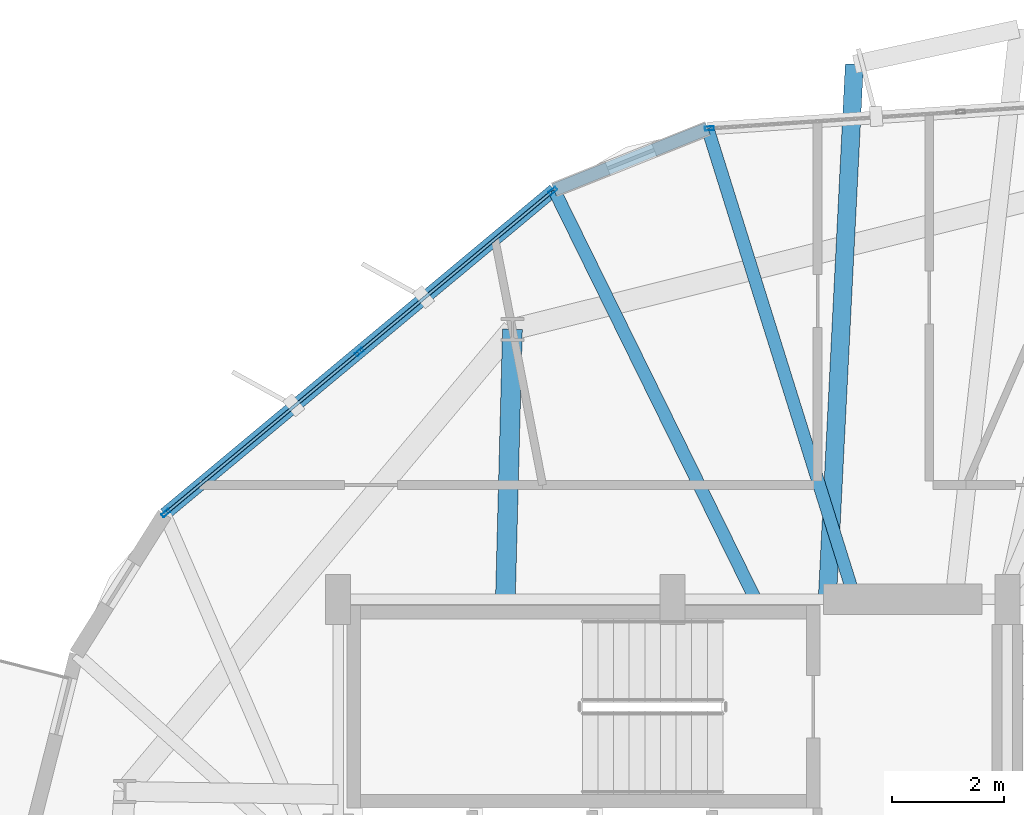
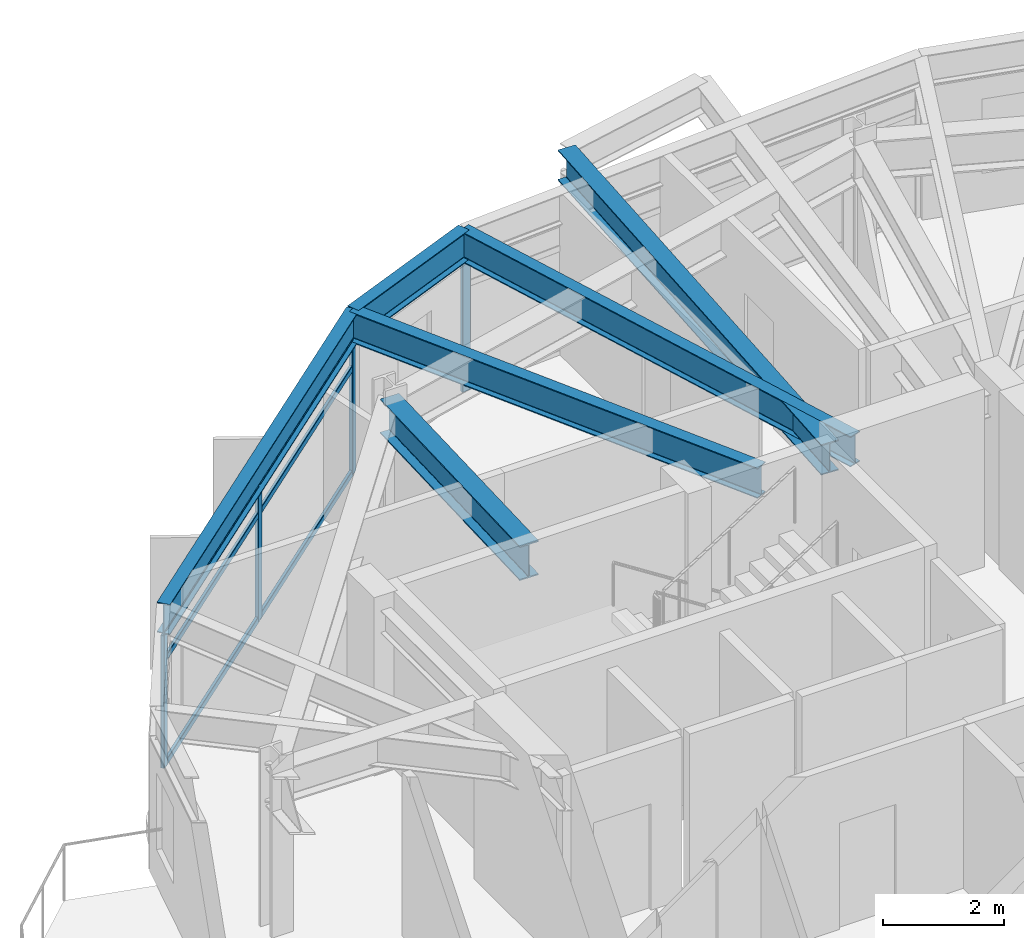
# One storey, part 12 of 24: 10 members, 6 beams, 2 elements without a shape of their own.
"""IFC4 building model written with IfcOpenShell, lengths in metres."""

from ifc_helpers import new_model, si_unit, direction, frame, origin, origin_2d, place, context, subcontext, project, spatial, hollow_rectangle, i_section, extrude, material, layer, layer_set, material_profile, profile_set, type_object, element, aggregate, save


model = new_model("IFC4")

# Units and contexts
model_context = context("Model", 3, precision=1e-05, world=origin(), true_north=direction((0.0, 1.0)))
body_context = subcontext(model_context, "Body", "Model", "MODEL_VIEW")
ifc_project = project(units=[si_unit("LENGTHUNIT", "METRE"), si_unit("AREAUNIT", "SQUARE_METRE"), si_unit("VOLUMEUNIT", "CUBIC_METRE"), si_unit("PLANEANGLEUNIT", "RADIAN"), si_unit("MASSUNIT", "GRAM", prefix="KILO")], contexts=[model_context])

# Site, building, storey
site_placement = place(None, origin())
site = spatial("IfcSite", under=ifc_project, at=site_placement, CompositionType="ELEMENT")
building_placement = place(site_placement, origin())
building = spatial("IfcBuilding", under=site, at=building_placement, Name="Soratama Intermodal Tower", CompositionType="ELEMENT")
storey_placement = place(building_placement, frame((0.0, 0.0, 178.60009765625)))
storey = spatial("IfcBuildingStorey", under=building, at=storey_placement, Name="L44", CompositionType="ELEMENT", Elevation=178.60009765625)

# Beams
ifc_material_1 = material(Name="Structural steel ASTM A992 Grade 50", Category="steel")
ifc_material_profile_1 = material_profile(ifc_material_1, i_section(OverallWidth=0.324951171875, OverallDepth=0.615966796875, WebThickness=0.013916015625, FlangeThickness=0.021484375, FilletRadius=0.013916015625, at=origin_2d()), Name="W24X117")
ifc_profile_set_1 = profile_set([ifc_material_profile_1], Name="Structural steel ASTM A992 Grade 50")
beam_type_1 = type_object("IfcBeamType", Name="BM-CANT-W24X117", PredefinedType="BEAM", material=ifc_profile_set_1)
beam_1_placement = place(storey_placement, frame((41.375, 35.0400390625, 2.991943359375), z_axis=(0.05047598421, 0.998725275047, 0.0), x_axis=(-0.998725275047, 0.05047598421, 0.0)))
element("IfcBeam", 1, at=beam_1_placement, inside=storey, type_object=beam_type_1, Name="BM-L44-CANT-2-2", PredefinedType="BEAM", context=body_context, shape_type="SweptSolid", body=[
    extrude(i_section(OverallWidth=0.324951171875, OverallDepth=0.615966796875, WebThickness=0.013916015625, FlangeThickness=0.021484375, FilletRadius=0.013916015625, at=origin_2d()), origin(), (0.0, 0.0, 1.0), 9.567138671875),
])
ifc_material_2 = material(Name="Structural steel ASTM A992 Grade 50", Category="steel")
ifc_material_profile_2 = material_profile(ifc_material_2, i_section(OverallWidth=0.35498046875, OverallDepth=0.695068359375, WebThickness=0.015380859375, FlangeThickness=0.02490234375, FilletRadius=0.01611328125, at=origin_2d()), Name="W27X146")
ifc_profile_set_2 = profile_set([ifc_material_profile_2], Name="Structural steel ASTM A992 Grade 50")
beam_type_2 = type_object("IfcBeamType", Name="BM-RING-W27X146", PredefinedType="BEAM", material=ifc_profile_set_2)
beam_2_placement = place(storey_placement, frame((35.60009765625, 35.0, 2.952392578125), z_axis=(0.026013685955, 0.99966158681, 0.0), x_axis=(-0.99966158681, 0.026013685955, 0.0)))
element("IfcBeam", 2, at=beam_2_placement, inside=storey, type_object=beam_type_2, Name="BM-L44-RAD-04", PredefinedType="BEAM", context=body_context, shape_type="SweptSolid", body=[
    extrude(i_section(OverallWidth=0.35498046875, OverallDepth=0.695068359375, WebThickness=0.015380859375, FlangeThickness=0.02490234375, FilletRadius=0.01611328125, at=origin_2d()), origin(), (0.0, 0.0, 1.0), 4.8427734375),
])
ifc_material_3 = material(Name="Structural steel ASTM A992 Grade 50", Category="steel")
ifc_material_profile_3 = material_profile(ifc_material_3, i_section(OverallWidth=0.22900390625, OverallDepth=0.612060546875, WebThickness=0.011962890625, FlangeThickness=0.01953125, FilletRadius=0.012939453125, at=origin_2d()), Name="W24X84")
ifc_profile_set_3 = profile_set([ifc_material_profile_3], Name="Structural steel ASTM A992 Grade 50")
beam_type_3 = type_object("IfcBeamType", Name="BM-SPN-W24X84", PredefinedType="SPANDREL", material=ifc_profile_set_3)
beam_3_placement = place(storey_placement, frame((39.22802734375, 43.443115234375, 2.993896484375), z_axis=(-0.92859014456, -0.371106916435, 0.0), x_axis=(0.371106916435, -0.92859014456, 0.0)))
element("IfcBeam", 3, at=beam_3_placement, inside=storey, type_object=beam_type_3, Name="BS-L44-CRN02", PredefinedType="SPANDREL", context=body_context, shape_type="SweptSolid", body=[
    extrude(i_section(OverallWidth=0.22900390625, OverallDepth=0.612060546875, WebThickness=0.011962890625, FlangeThickness=0.01953125, FilletRadius=0.012939453125, at=origin_2d()), origin(), (0.0, 0.0, 1.0), 2.967041015625),
])
beam_4_placement = place(storey_placement, frame((36.472900390625, 42.342041015625, 2.993896484375), z_axis=(-0.768498703889, -0.639851343767, 0.0), x_axis=(0.639851343767, -0.768498703889, 0.0)))
element("IfcBeam", 4, at=beam_4_placement, inside=storey, type_object=beam_type_3, Name="BS-L44-F03", PredefinedType="SPANDREL", context=body_context, shape_type="SweptSolid", body=[
    extrude(i_section(OverallWidth=0.22900390625, OverallDepth=0.612060546875, WebThickness=0.011962890625, FlangeThickness=0.01953125, FilletRadius=0.012939453125, at=origin_2d()), origin(), (0.0, 0.0, 1.0), 9.08642578125),
])
ifc_material_4 = material(Name="Structural steel ASTM A992 Grade 50", Category="steel")
ifc_material_profile_4 = material_profile(ifc_material_4, i_section(OverallWidth=0.22900390625, OverallDepth=0.612060546875, WebThickness=0.011962890625, FlangeThickness=0.01953125, FilletRadius=0.012939453125, at=origin_2d()), Name="W24X84")
ifc_profile_set_4 = profile_set([ifc_material_profile_4], Name="Structural steel ASTM A992 Grade 50")
beam_type_4 = type_object("IfcBeamType", Name="BM-TIE-W24X84", PredefinedType="BEAM", material=ifc_profile_set_4)
beam_5_placement = place(storey_placement, frame((41.85791015625, 35.0380859375, 2.993896484375), z_axis=(-0.298617498954, 0.954372877506, 0.0), x_axis=(-0.954372877506, -0.298617498954, 0.0)))
element("IfcBeam", 5, at=beam_5_placement, inside=storey, type_object=beam_type_4, Name="BM-L44-TIE1-02", PredefinedType="BEAM", context=body_context, shape_type="SweptSolid", body=[
    extrude(i_section(OverallWidth=0.22900390625, OverallDepth=0.612060546875, WebThickness=0.011962890625, FlangeThickness=0.01953125, FilletRadius=0.012939453125, at=origin_2d()), origin(), (0.0, 0.0, 1.0), 8.806884765625),
])
beam_6_placement = place(storey_placement, frame((40.06591796875, 35.035888671875, 2.993896484375), z_axis=(-0.441302634606, 0.897358336836, 0.0), x_axis=(-0.897358336836, -0.441302634606, 0.0)))
element("IfcBeam", 6, at=beam_6_placement, inside=storey, type_object=beam_type_4, Name="BM-L44-TIE0-03", PredefinedType="BEAM", context=body_context, shape_type="SweptSolid", body=[
    extrude(i_section(OverallWidth=0.22900390625, OverallDepth=0.612060546875, WebThickness=0.011962890625, FlangeThickness=0.01953125, FilletRadius=0.012939453125, at=origin_2d()), origin(), (0.0, 0.0, 1.0), 8.141845703125),
])

# Curtain wall, member
ifc_material_5 = material(Name="Double-glazed aluminium curtain wall", Category="aluminium")
ifc_layer = layer(ifc_material_5, 0.159912109375)
ifc_layer_set = layer_set([ifc_layer], Name="Double-glazed aluminium curtain wall")
curtain_wall_type = type_object("IfcCurtainWallType", Name="CW-SYS-4", PredefinedType="NOTDEFINED", material=ifc_layer_set)
curtain_wall_1_placement = place(storey_placement, origin())
curtain_wall_1 = element("IfcCurtainWall", 7, at=curtain_wall_1_placement, inside=storey, type_object=curtain_wall_type, Name="L44 Faceted Curtain Wall F02", PredefinedType="NOTDEFINED")
ifc_material_6 = material(Name="Anodised aluminium AA 6063-T6", Category="aluminium")
ifc_material_profile_5 = material_profile(ifc_material_6, hollow_rectangle(XDim=0.070068359375, YDim=0.159912109375, WallThickness=0.0048828125, InnerFilletRadius=0.0048828125, OuterFilletRadius=0.010009765625, at=origin_2d()), Name="CWM160X70X5")
ifc_profile_set_5 = profile_set([ifc_material_profile_5], Name="Anodised aluminium AA 6063-T6")
member_type_1 = type_object("IfcMemberType", Name="MT-CWM-4", PredefinedType="MULLION", material=ifc_profile_set_5)
member_1_placement = place(storey_placement, frame((39.258056640625, 43.445068359375, 0.0), z_axis=(0.0, 0.0, 1.0), x_axis=(0.065918605192, -0.99782500344, 0.0)))
member_1 = element("IfcMember", 8, at=member_1_placement, type_object=member_type_1, Name="CW-4 mullion 3", PredefinedType="MULLION", context=body_context, shape_type="SweptSolid", body=[
    extrude(hollow_rectangle(XDim=0.070068359375, YDim=0.159912109375, WallThickness=0.0048828125, InnerFilletRadius=0.0048828125, OuterFilletRadius=0.010009765625, at=origin_2d()), origin(), (0.0, 0.0, 1.0), 2.678955078125),
])
aggregate(curtain_wall_1, [member_1])

# Curtain wall, members
curtain_wall_2_placement = place(storey_placement, origin())
curtain_wall_2 = element("IfcCurtainWall", 9, at=curtain_wall_2_placement, inside=storey, type_object=curtain_wall_type, Name="L44 Faceted Curtain Wall F03", PredefinedType="NOTDEFINED")
member_2_placement = place(storey_placement, frame((36.4501953125, 42.322998046875, 0.0), z_axis=(0.0, 0.0, 1.0), x_axis=(0.639840120202, -0.768508048481, 0.0)))
member_2 = element("IfcMember", 10, at=member_2_placement, type_object=member_type_1, Name="CW-4 mullion 1", PredefinedType="MULLION", context=body_context, shape_type="SweptSolid", body=[
    extrude(hollow_rectangle(XDim=0.070068359375, YDim=0.159912109375, WallThickness=0.0048828125, InnerFilletRadius=0.0048828125, OuterFilletRadius=0.010009765625, at=origin_2d()), origin(), (0.0, 0.0, 1.0), 2.678955078125),
])
member_3_placement = place(storey_placement, frame((32.981689453125, 39.43505859375, 0.0), z_axis=(0.0, 0.0, 1.0), x_axis=(0.639840120202, -0.768508048481, 0.0)))
member_3 = element("IfcMember", 11, at=member_3_placement, type_object=member_type_1, Name="CW-4 mullion 2", PredefinedType="MULLION", context=body_context, shape_type="SweptSolid", body=[
    extrude(hollow_rectangle(XDim=0.070068359375, YDim=0.159912109375, WallThickness=0.0048828125, InnerFilletRadius=0.0048828125, OuterFilletRadius=0.010009765625, at=origin_2d()), origin(), (0.0, 0.0, 1.0), 2.678955078125),
])
member_4_placement = place(storey_placement, frame((29.512939453125, 36.547119140625, 0.0), z_axis=(0.0, 0.0, 1.0), x_axis=(0.639840120202, -0.768508048481, 0.0)))
member_4 = element("IfcMember", 12, at=member_4_placement, type_object=member_type_1, Name="CW-4 mullion 3", PredefinedType="MULLION", context=body_context, shape_type="SweptSolid", body=[
    extrude(hollow_rectangle(XDim=0.070068359375, YDim=0.159912109375, WallThickness=0.0048828125, InnerFilletRadius=0.0048828125, OuterFilletRadius=0.010009765625, at=origin_2d()), origin(), (0.0, 0.0, 1.0), 2.678955078125),
])
ifc_material_7 = material(Name="Anodised aluminium AA 6063-T6", Category="aluminium")
ifc_material_profile_6 = material_profile(ifc_material_7, hollow_rectangle(XDim=0.06005859375, YDim=0.1298828125, WallThickness=0.0048828125, InnerFilletRadius=0.0048828125, OuterFilletRadius=0.010009765625, at=origin_2d()), Name="CWT130X60X5")
ifc_profile_set_6 = profile_set([ifc_material_profile_6], Name="Anodised aluminium AA 6063-T6")
member_type_2 = type_object("IfcMemberType", Name="TT-CWT-2", PredefinedType="USERDEFINED", material=ifc_profile_set_6)
member_5_placement = place(storey_placement, frame((36.42724609375, 42.3037109375, 0.02978515625), z_axis=(-0.768531240938, -0.639812262857, 0.0), x_axis=(0.639812262857, -0.768531240938, 0.0)))
member_5 = element("IfcMember", 13, at=member_5_placement, type_object=member_type_2, Name="CW-4 transom 1.1", ObjectType="TRANSOM", PredefinedType="USERDEFINED", context=body_context, shape_type="SweptSolid", body=[
    extrude(hollow_rectangle(XDim=0.06005859375, YDim=0.1298828125, WallThickness=0.0048828125, InnerFilletRadius=0.0048828125, OuterFilletRadius=0.010009765625, at=origin_2d()), origin(), (0.0, 0.0, 1.0), 4.453369140625),
])
member_6_placement = place(storey_placement, frame((36.42724609375, 42.3037109375, 2.14990234375), z_axis=(-0.768531240938, -0.639812262857, 0.0), x_axis=(0.639812262857, -0.768531240938, 0.0)))
member_6 = element("IfcMember", 14, at=member_6_placement, type_object=member_type_2, Name="CW-4 transom 1.2", ObjectType="TRANSOM", PredefinedType="USERDEFINED", context=body_context, shape_type="SweptSolid", body=[
    extrude(hollow_rectangle(XDim=0.06005859375, YDim=0.1298828125, WallThickness=0.0048828125, InnerFilletRadius=0.0048828125, OuterFilletRadius=0.010009765625, at=origin_2d()), origin(), (0.0, 0.0, 1.0), 4.453369140625),
])
member_7_placement = place(storey_placement, frame((36.42724609375, 42.3037109375, 2.64892578125), z_axis=(-0.768531240938, -0.639812262857, 0.0), x_axis=(0.639812262857, -0.768531240938, 0.0)))
member_7 = element("IfcMember", 15, at=member_7_placement, type_object=member_type_2, Name="CW-4 transom 1.3", ObjectType="TRANSOM", PredefinedType="USERDEFINED", context=body_context, shape_type="SweptSolid", body=[
    extrude(hollow_rectangle(XDim=0.06005859375, YDim=0.1298828125, WallThickness=0.0048828125, InnerFilletRadius=0.0048828125, OuterFilletRadius=0.010009765625, at=origin_2d()), origin(), (0.0, 0.0, 1.0), 4.453369140625),
])
member_8_placement = place(storey_placement, frame((32.95849609375, 39.416015625, 0.02978515625), z_axis=(-0.768504285007, -0.63984464046, 0.0), x_axis=(0.63984464046, -0.768504285007, 0.0)))
member_8 = element("IfcMember", 16, at=member_8_placement, type_object=member_type_2, Name="CW-4 transom 2.1", ObjectType="TRANSOM", PredefinedType="USERDEFINED", context=body_context, shape_type="SweptSolid", body=[
    extrude(hollow_rectangle(XDim=0.06005859375, YDim=0.1298828125, WallThickness=0.0048828125, InnerFilletRadius=0.0048828125, OuterFilletRadius=0.010009765625, at=origin_2d()), origin(), (0.0, 0.0, 1.0), 4.45361328125),
])
member_9_placement = place(storey_placement, frame((32.95849609375, 39.416015625, 2.14990234375), z_axis=(-0.768504285007, -0.63984464046, 0.0), x_axis=(0.63984464046, -0.768504285007, 0.0)))
member_9 = element("IfcMember", 17, at=member_9_placement, type_object=member_type_2, Name="CW-4 transom 2.2", ObjectType="TRANSOM", PredefinedType="USERDEFINED", context=body_context, shape_type="SweptSolid", body=[
    extrude(hollow_rectangle(XDim=0.06005859375, YDim=0.1298828125, WallThickness=0.0048828125, InnerFilletRadius=0.0048828125, OuterFilletRadius=0.010009765625, at=origin_2d()), origin(), (0.0, 0.0, 1.0), 4.45361328125),
])
member_10_placement = place(storey_placement, frame((32.95849609375, 39.416015625, 2.64892578125), z_axis=(-0.768504285007, -0.63984464046, 0.0), x_axis=(0.63984464046, -0.768504285007, 0.0)))
member_10 = element("IfcMember", 18, at=member_10_placement, type_object=member_type_2, Name="CW-4 transom 2.3", ObjectType="TRANSOM", PredefinedType="USERDEFINED", context=body_context, shape_type="SweptSolid", body=[
    extrude(hollow_rectangle(XDim=0.06005859375, YDim=0.1298828125, WallThickness=0.0048828125, InnerFilletRadius=0.0048828125, OuterFilletRadius=0.010009765625, at=origin_2d()), origin(), (0.0, 0.0, 1.0), 4.45361328125),
])
aggregate(curtain_wall_2, [member_2, member_3, member_4, member_5, member_6, member_7, member_8, member_9, member_10])

save(model, "model.ifc")
